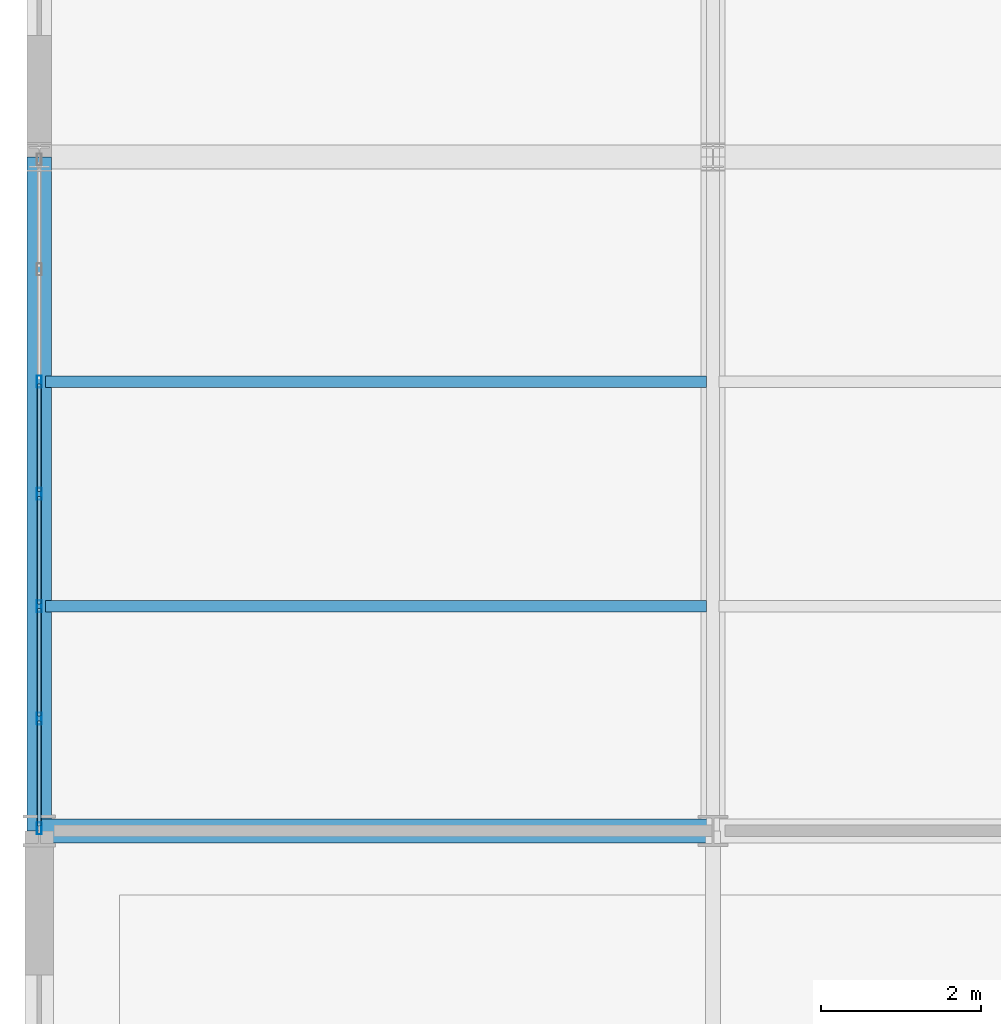
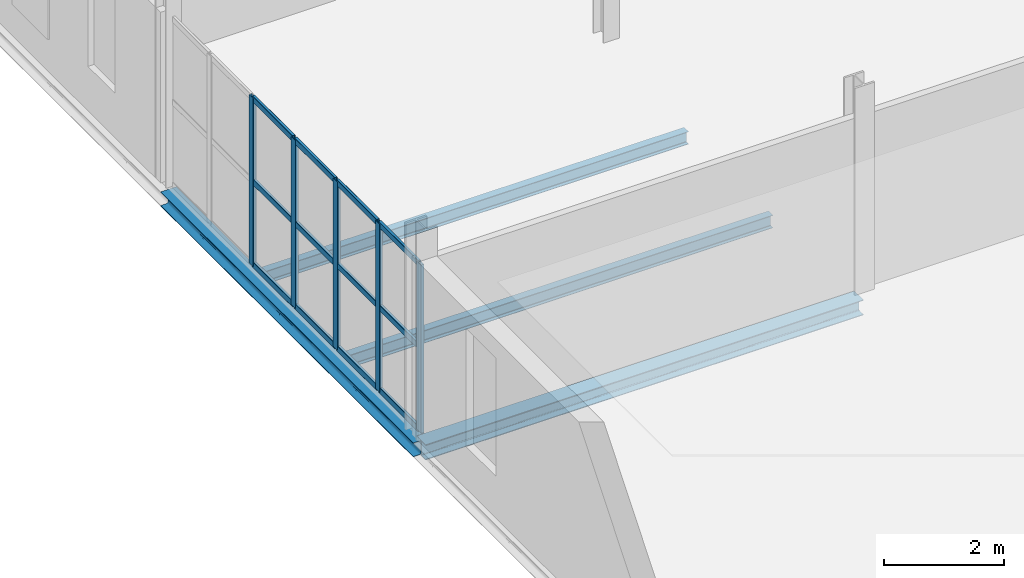
# One storey, part 47 of 184: 17 members, 4 beams, 1 element without a shape of its own.
"""IFC4 building model written with IfcOpenShell, lengths in metres."""

from ifc_helpers import new_model, si_unit, direction, frame, origin, origin_2d, place, context, subcontext, project, spatial, hollow_rectangle, i_section, extrude, material, layer, layer_set, material_profile, profile_set, type_object, element, aggregate, save


model = new_model("IFC4")

# Units and contexts
model_context = context("Model", 3, precision=1e-05, world=origin(), true_north=direction((0.0, 1.0)))
body_context = subcontext(model_context, "Body", "Model", "MODEL_VIEW")
ifc_project = project(units=[si_unit("LENGTHUNIT", "METRE"), si_unit("AREAUNIT", "SQUARE_METRE"), si_unit("VOLUMEUNIT", "CUBIC_METRE"), si_unit("PLANEANGLEUNIT", "RADIAN"), si_unit("MASSUNIT", "GRAM", prefix="KILO")], contexts=[model_context])

# Site, building, storey
site_placement = place(None, origin())
site = spatial("IfcSite", under=ifc_project, at=site_placement, CompositionType="ELEMENT")
building_placement = place(site_placement, origin())
building = spatial("IfcBuilding", under=site, at=building_placement, Name="Qalvenar Corner Mobility Hub", CompositionType="ELEMENT")
storey_placement = place(building_placement, frame((0.0, 0.0, 9.0)))
storey = spatial("IfcBuildingStorey", under=building, at=storey_placement, Name="L02", CompositionType="ELEMENT", Elevation=9.0)

# Beams
ifc_material_1 = material(Name="Steel S355", Category="steel")
ifc_material_profile_1 = material_profile(ifc_material_1, i_section(OverallWidth=0.14599609375, OverallDepth=0.258056640625, WebThickness=0.006103515625, FlangeThickness=0.009033203125, FilletRadius=0.011962890625, at=origin_2d()), Name="W250x32.7")
ifc_profile_set_1 = profile_set([ifc_material_profile_1], Name="Steel S355")
beam_type_1 = type_object("IfcBeamType", Name="BM-JST250", PredefinedType="JOIST", material=ifc_profile_set_1)
for number, where, z_axis, x_axis, name in (
    (1, (0.077880859375, 44.800048828125, -0.30908203125), (1.0, 0.0, 0.0), (0.0, 1.0, 0.0), "Composite Floor Joist J-1864"),
    (2, (0.077880859375, 47.60009765625, -0.30908203125), (1.0, 0.0, 0.0), (0.0, 1.0, 0.0), "Composite Floor Joist J-1865"),
):
    element("IfcBeam", number, at=place(storey_placement, frame(where, z_axis=z_axis, x_axis=x_axis)), inside=storey, type_object=beam_type_1, Name=name, PredefinedType="JOIST", context=body_context, shape_type="SweptSolid", body=[
        extrude(i_section(OverallWidth=0.14599609375, OverallDepth=0.258056640625, WebThickness=0.006103515625, FlangeThickness=0.009033203125, FilletRadius=0.011962890625, at=origin_2d()), origin(), (0.0, 0.0, 1.0), 8.244140625),
    ])
ifc_material_profile_2 = material_profile(ifc_material_1, i_section(OverallWidth=0.300048828125, OverallDepth=0.2900390625, WebThickness=0.008544921875, FlangeThickness=0.013916015625, FilletRadius=0.027099609375, at=origin_2d()), Name="HEA300")
ifc_profile_set_2 = profile_set([ifc_material_profile_2], Name="Steel S355")
beam_type_2 = type_object("IfcBeamType", Name="BM-SPN300", PredefinedType="SPANDREL", material=ifc_profile_set_2)
beam_1_placement = place(storey_placement, frame((0.0, 42.0, -0.324951171875), z_axis=(0.0, 1.0, 0.0), x_axis=(-1.0, 0.0, 0.0)))
element("IfcBeam", 3, at=beam_1_placement, inside=storey, type_object=beam_type_2, Name="Primary Steel Girder GY-1839", PredefinedType="SPANDREL", context=body_context, shape_type="SweptSolid", body=[
    extrude(i_section(OverallWidth=0.300048828125, OverallDepth=0.2900390625, WebThickness=0.008544921875, FlangeThickness=0.013916015625, FilletRadius=0.027099609375, at=origin_2d()), origin(), (0.0, 0.0, 1.0), 8.39990234375),
])
ifc_material_profile_3 = material_profile(ifc_material_1, i_section(OverallWidth=0.300048828125, OverallDepth=0.31005859375, WebThickness=0.009033203125, FlangeThickness=0.015380859375, FilletRadius=0.027099609375, at=origin_2d()), Name="HEA320")
ifc_profile_set_3 = profile_set([ifc_material_profile_3], Name="Steel S355")
beam_type_3 = type_object("IfcBeamType", Name="BM-SPN320", PredefinedType="SPANDREL", material=ifc_profile_set_3)
beam_2_placement = place(storey_placement, frame((0.0, 42.0, -0.3349609375), z_axis=(1.0, 0.0, 0.0), x_axis=(0.0, 1.0, 0.0)))
element("IfcBeam", 4, at=beam_2_placement, inside=storey, type_object=beam_type_3, Name="Primary Steel Girder GX-1571", PredefinedType="SPANDREL", context=body_context, shape_type="SweptSolid", body=[
    extrude(i_section(OverallWidth=0.300048828125, OverallDepth=0.31005859375, WebThickness=0.009033203125, FlangeThickness=0.015380859375, FilletRadius=0.027099609375, at=origin_2d()), origin(), (0.0, 0.0, 1.0), 8.39990234375),
])

# Curtain wall, members
ifc_material_2 = material(Name="Anodised Aluminium and Low-E Glazing", Category="aluminium")
ifc_layer = layer(ifc_material_2, 0.14990234375)
ifc_layer_set = layer_set([ifc_layer], Name="Anodised Aluminium and Low-E Glazing")
curtain_wall_type = type_object("IfcCurtainWallType", Name="CW-CYC-84X39", PredefinedType="NOTDEFINED", material=ifc_layer_set)
curtain_wall_placement = place(storey_placement, origin())
curtain_wall = element("IfcCurtainWall", 5, at=curtain_wall_placement, inside=storey, type_object=curtain_wall_type, Name="Glazed Curtain Wall CW-V5-L02-W0", PredefinedType="NOTDEFINED")
ifc_material_3 = material(Name="Anodised Aluminium 6063-T6", Category="aluminium")
ifc_material_profile_4 = material_profile(ifc_material_3, hollow_rectangle(XDim=0.06005859375, YDim=0.14990234375, WallThickness=0.00390625, InnerFilletRadius=0.00390625, OuterFilletRadius=0.008056640625, at=origin_2d()), Name="RHS150x60x4")
ifc_profile_set_4 = profile_set([ifc_material_profile_4], Name="Anodised Aluminium 6063-T6")
member_type_1 = type_object("IfcMemberType", Name="CW-MUL150", PredefinedType="MULLION", material=ifc_profile_set_4)
member_1_placement = place(storey_placement, frame((0.0, 47.60009765625, 0.0), z_axis=(0.0, 0.0, 1.0), x_axis=(1.0, 0.0, 0.0)))
member_1 = element("IfcMember", 6, at=member_1_placement, type_object=member_type_1, Name="CW-08 mullion 3", PredefinedType="MULLION", context=body_context, shape_type="SweptSolid", body=[
    extrude(hollow_rectangle(XDim=0.06005859375, YDim=0.14990234375, WallThickness=0.00390625, InnerFilletRadius=0.00390625, OuterFilletRadius=0.008056640625, at=origin_2d()), origin(), (0.0, 0.0, 1.0), 3.409912109375),
])
member_2_placement = place(storey_placement, frame((0.0, 46.199951171875, 0.0), z_axis=(0.0, 0.0, 1.0), x_axis=(1.0, 0.0, 0.0)))
member_2 = element("IfcMember", 7, at=member_2_placement, type_object=member_type_1, Name="CW-08 mullion 4", PredefinedType="MULLION", context=body_context, shape_type="SweptSolid", body=[
    extrude(hollow_rectangle(XDim=0.06005859375, YDim=0.14990234375, WallThickness=0.00390625, InnerFilletRadius=0.00390625, OuterFilletRadius=0.008056640625, at=origin_2d()), origin(), (0.0, 0.0, 1.0), 3.409912109375),
])
member_3_placement = place(storey_placement, frame((0.0, 44.800048828125, 0.0), z_axis=(0.0, 0.0, 1.0), x_axis=(1.0, 0.0, 0.0)))
member_3 = element("IfcMember", 8, at=member_3_placement, type_object=member_type_1, Name="CW-08 mullion 5", PredefinedType="MULLION", context=body_context, shape_type="SweptSolid", body=[
    extrude(hollow_rectangle(XDim=0.06005859375, YDim=0.14990234375, WallThickness=0.00390625, InnerFilletRadius=0.00390625, OuterFilletRadius=0.008056640625, at=origin_2d()), origin(), (0.0, 0.0, 1.0), 3.409912109375),
])
member_4_placement = place(storey_placement, frame((0.0, 43.39990234375, 0.0), z_axis=(0.0, 0.0, 1.0), x_axis=(1.0, 0.0, 0.0)))
member_4 = element("IfcMember", 9, at=member_4_placement, type_object=member_type_1, Name="CW-08 mullion 6", PredefinedType="MULLION", context=body_context, shape_type="SweptSolid", body=[
    extrude(hollow_rectangle(XDim=0.06005859375, YDim=0.14990234375, WallThickness=0.00390625, InnerFilletRadius=0.00390625, OuterFilletRadius=0.008056640625, at=origin_2d()), origin(), (0.0, 0.0, 1.0), 3.409912109375),
])
member_5_placement = place(storey_placement, frame((0.0, 42.030029296875, 0.0), z_axis=(0.0, 0.0, 1.0), x_axis=(1.0, 0.0, 0.0)))
member_5 = element("IfcMember", 10, at=member_5_placement, type_object=member_type_1, Name="CW-08 mullion 7", PredefinedType="MULLION", context=body_context, shape_type="SweptSolid", body=[
    extrude(hollow_rectangle(XDim=0.06005859375, YDim=0.14990234375, WallThickness=0.00390625, InnerFilletRadius=0.00390625, OuterFilletRadius=0.008056640625, at=origin_2d()), origin(), (0.0, 0.0, 1.0), 3.409912109375),
])
ifc_material_profile_5 = material_profile(ifc_material_3, hollow_rectangle(XDim=0.054931640625, YDim=0.1201171875, WallThickness=0.00341796875, InnerFilletRadius=0.00341796875, OuterFilletRadius=0.007080078125, at=origin_2d()), Name="RHS120x55x3.5")
ifc_profile_set_5 = profile_set([ifc_material_profile_5], Name="Anodised Aluminium 6063-T6")
member_type_2 = type_object("IfcMemberType", Name="CW-TRN120", PredefinedType="USERDEFINED", material=ifc_profile_set_5)
member_6_placement = place(storey_placement, frame((0.0, 47.570068359375, 0.027587890625), z_axis=(0.0, -1.0, 0.0), x_axis=(1.0, 0.0, 0.0)))
member_6 = element("IfcMember", 11, at=member_6_placement, type_object=member_type_2, Name="CW-08 transom 3.1", ObjectType="TRANSOM", PredefinedType="USERDEFINED", context=body_context, shape_type="SweptSolid", body=[
    extrude(hollow_rectangle(XDim=0.054931640625, YDim=0.1201171875, WallThickness=0.00341796875, InnerFilletRadius=0.00341796875, OuterFilletRadius=0.007080078125, at=origin_2d()), origin(), (0.0, 0.0, 1.0), 1.340087890625),
])
member_7_placement = place(storey_placement, frame((0.0, 47.570068359375, 1.705078125), z_axis=(0.0, -1.0, 0.0), x_axis=(1.0, 0.0, 0.0)))
member_7 = element("IfcMember", 12, at=member_7_placement, type_object=member_type_2, Name="CW-08 transom 3.2", ObjectType="TRANSOM", PredefinedType="USERDEFINED", context=body_context, shape_type="SweptSolid", body=[
    extrude(hollow_rectangle(XDim=0.054931640625, YDim=0.1201171875, WallThickness=0.00341796875, InnerFilletRadius=0.00341796875, OuterFilletRadius=0.007080078125, at=origin_2d()), origin(), (0.0, 0.0, 1.0), 1.340087890625),
])
member_8_placement = place(storey_placement, frame((0.0, 47.570068359375, 3.382568359375), z_axis=(0.0, -1.0, 0.0), x_axis=(1.0, 0.0, 0.0)))
member_8 = element("IfcMember", 13, at=member_8_placement, type_object=member_type_2, Name="CW-08 transom 3.3", ObjectType="TRANSOM", PredefinedType="USERDEFINED", context=body_context, shape_type="SweptSolid", body=[
    extrude(hollow_rectangle(XDim=0.054931640625, YDim=0.1201171875, WallThickness=0.00341796875, InnerFilletRadius=0.00341796875, OuterFilletRadius=0.007080078125, at=origin_2d()), origin(), (0.0, 0.0, 1.0), 1.340087890625),
])
member_9_placement = place(storey_placement, frame((0.0, 46.169921875, 0.027587890625), z_axis=(0.0, -1.0, 0.0), x_axis=(1.0, 0.0, 0.0)))
member_9 = element("IfcMember", 14, at=member_9_placement, type_object=member_type_2, Name="CW-08 transom 4.1", ObjectType="TRANSOM", PredefinedType="USERDEFINED", context=body_context, shape_type="SweptSolid", body=[
    extrude(hollow_rectangle(XDim=0.054931640625, YDim=0.1201171875, WallThickness=0.00341796875, InnerFilletRadius=0.00341796875, OuterFilletRadius=0.007080078125, at=origin_2d()), origin(), (0.0, 0.0, 1.0), 1.33984375),
])
member_10_placement = place(storey_placement, frame((0.0, 46.169921875, 1.705078125), z_axis=(0.0, -1.0, 0.0), x_axis=(1.0, 0.0, 0.0)))
member_10 = element("IfcMember", 15, at=member_10_placement, type_object=member_type_2, Name="CW-08 transom 4.2", ObjectType="TRANSOM", PredefinedType="USERDEFINED", context=body_context, shape_type="SweptSolid", body=[
    extrude(hollow_rectangle(XDim=0.054931640625, YDim=0.1201171875, WallThickness=0.00341796875, InnerFilletRadius=0.00341796875, OuterFilletRadius=0.007080078125, at=origin_2d()), origin(), (0.0, 0.0, 1.0), 1.33984375),
])
member_11_placement = place(storey_placement, frame((0.0, 46.169921875, 3.382568359375), z_axis=(0.0, -1.0, 0.0), x_axis=(1.0, 0.0, 0.0)))
member_11 = element("IfcMember", 16, at=member_11_placement, type_object=member_type_2, Name="CW-08 transom 4.3", ObjectType="TRANSOM", PredefinedType="USERDEFINED", context=body_context, shape_type="SweptSolid", body=[
    extrude(hollow_rectangle(XDim=0.054931640625, YDim=0.1201171875, WallThickness=0.00341796875, InnerFilletRadius=0.00341796875, OuterFilletRadius=0.007080078125, at=origin_2d()), origin(), (0.0, 0.0, 1.0), 1.33984375),
])
member_12_placement = place(storey_placement, frame((0.0, 44.77001953125, 0.027587890625), z_axis=(0.0, -1.0, 0.0), x_axis=(1.0, 0.0, 0.0)))
member_12 = element("IfcMember", 17, at=member_12_placement, type_object=member_type_2, Name="CW-08 transom 5.1", ObjectType="TRANSOM", PredefinedType="USERDEFINED", context=body_context, shape_type="SweptSolid", body=[
    extrude(hollow_rectangle(XDim=0.054931640625, YDim=0.1201171875, WallThickness=0.00341796875, InnerFilletRadius=0.00341796875, OuterFilletRadius=0.007080078125, at=origin_2d()), origin(), (0.0, 0.0, 1.0), 1.340087890625),
])
member_13_placement = place(storey_placement, frame((0.0, 44.77001953125, 1.705078125), z_axis=(0.0, -1.0, 0.0), x_axis=(1.0, 0.0, 0.0)))
member_13 = element("IfcMember", 18, at=member_13_placement, type_object=member_type_2, Name="CW-08 transom 5.2", ObjectType="TRANSOM", PredefinedType="USERDEFINED", context=body_context, shape_type="SweptSolid", body=[
    extrude(hollow_rectangle(XDim=0.054931640625, YDim=0.1201171875, WallThickness=0.00341796875, InnerFilletRadius=0.00341796875, OuterFilletRadius=0.007080078125, at=origin_2d()), origin(), (0.0, 0.0, 1.0), 1.340087890625),
])
member_14_placement = place(storey_placement, frame((0.0, 44.77001953125, 3.382568359375), z_axis=(0.0, -1.0, 0.0), x_axis=(1.0, 0.0, 0.0)))
member_14 = element("IfcMember", 19, at=member_14_placement, type_object=member_type_2, Name="CW-08 transom 5.3", ObjectType="TRANSOM", PredefinedType="USERDEFINED", context=body_context, shape_type="SweptSolid", body=[
    extrude(hollow_rectangle(XDim=0.054931640625, YDim=0.1201171875, WallThickness=0.00341796875, InnerFilletRadius=0.00341796875, OuterFilletRadius=0.007080078125, at=origin_2d()), origin(), (0.0, 0.0, 1.0), 1.340087890625),
])
member_15_placement = place(storey_placement, frame((0.0, 43.3701171875, 0.027587890625), z_axis=(0.0, -1.0, 0.0), x_axis=(1.0, 0.0, 0.0)))
member_15 = element("IfcMember", 20, at=member_15_placement, type_object=member_type_2, Name="CW-08 transom 6.1", ObjectType="TRANSOM", PredefinedType="USERDEFINED", context=body_context, shape_type="SweptSolid", body=[
    extrude(hollow_rectangle(XDim=0.054931640625, YDim=0.1201171875, WallThickness=0.00341796875, InnerFilletRadius=0.00341796875, OuterFilletRadius=0.007080078125, at=origin_2d()), origin(), (0.0, 0.0, 1.0), 1.31005859375),
])
member_16_placement = place(storey_placement, frame((0.0, 43.3701171875, 1.705078125), z_axis=(0.0, -1.0, 0.0), x_axis=(1.0, 0.0, 0.0)))
member_16 = element("IfcMember", 21, at=member_16_placement, type_object=member_type_2, Name="CW-08 transom 6.2", ObjectType="TRANSOM", PredefinedType="USERDEFINED", context=body_context, shape_type="SweptSolid", body=[
    extrude(hollow_rectangle(XDim=0.054931640625, YDim=0.1201171875, WallThickness=0.00341796875, InnerFilletRadius=0.00341796875, OuterFilletRadius=0.007080078125, at=origin_2d()), origin(), (0.0, 0.0, 1.0), 1.31005859375),
])
member_17_placement = place(storey_placement, frame((0.0, 43.3701171875, 3.382568359375), z_axis=(0.0, -1.0, 0.0), x_axis=(1.0, 0.0, 0.0)))
member_17 = element("IfcMember", 22, at=member_17_placement, type_object=member_type_2, Name="CW-08 transom 6.3", ObjectType="TRANSOM", PredefinedType="USERDEFINED", context=body_context, shape_type="SweptSolid", body=[
    extrude(hollow_rectangle(XDim=0.054931640625, YDim=0.1201171875, WallThickness=0.00341796875, InnerFilletRadius=0.00341796875, OuterFilletRadius=0.007080078125, at=origin_2d()), origin(), (0.0, 0.0, 1.0), 1.31005859375),
])
aggregate(curtain_wall, [member_1, member_2, member_3, member_4, member_5, member_6, member_7, member_8, member_9, member_10, member_11, member_12, member_13, member_14, member_15, member_16, member_17])

save(model, "model.ifc")
